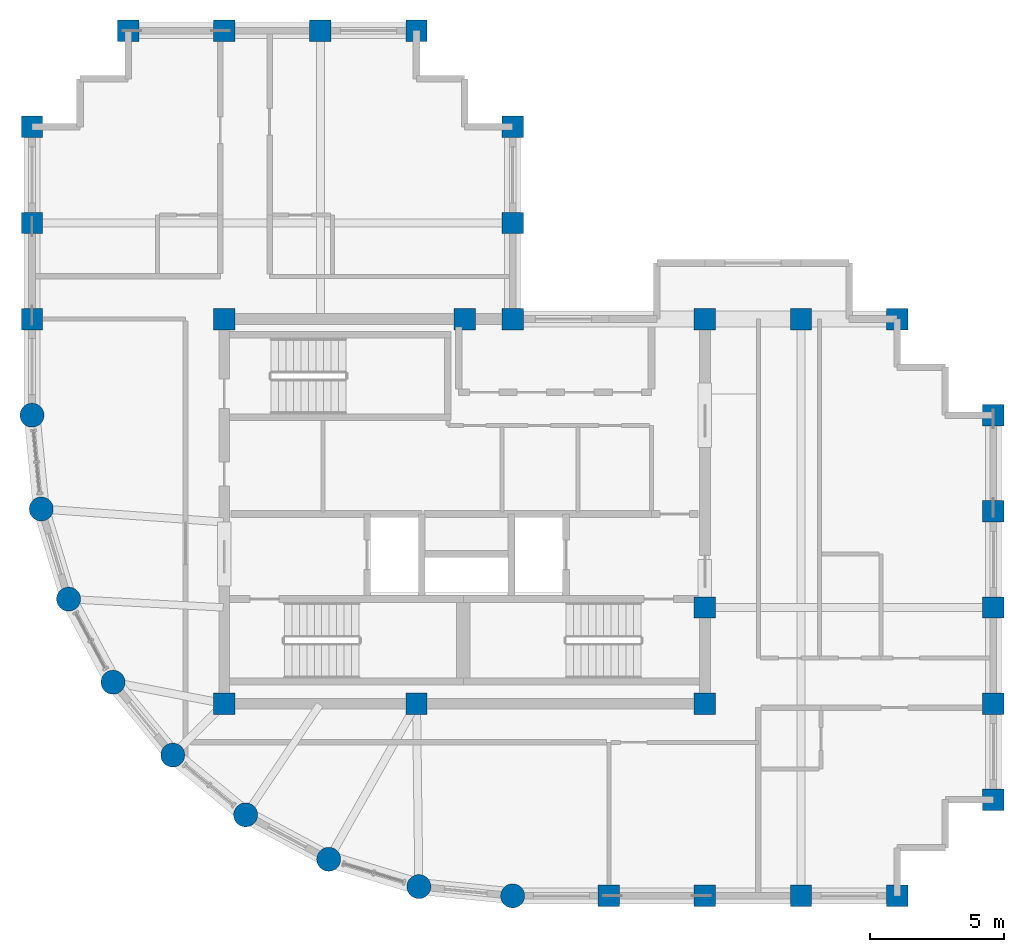
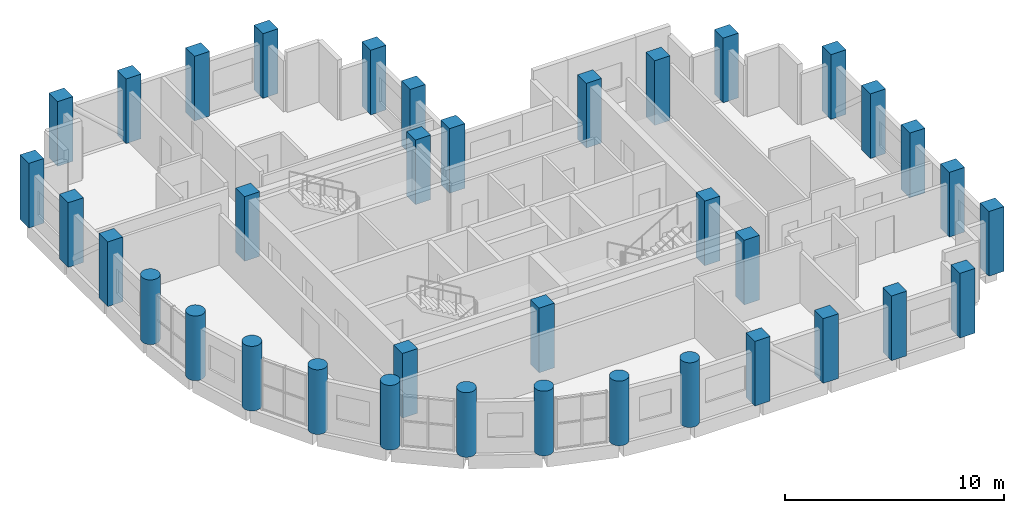
# One storey, part 1 of 11: 37 columns.
"""IFC4 building model written with IfcOpenShell, lengths in metres."""

from ifc_helpers import new_model, si_unit, direction, frame, origin, origin_2d, place, context, subcontext, project, spatial, rectangle, circle, extrude, material, material_profile, profile_set, type_object, element, save


model = new_model("IFC4")

# Units and contexts
model_context = context("Model", 3, precision=1e-05, world=origin(), true_north=direction((0.0, 1.0)))
body_context = subcontext(model_context, "Body", "Model", "MODEL_VIEW")
ifc_project = project(units=[si_unit("LENGTHUNIT", "METRE"), si_unit("AREAUNIT", "SQUARE_METRE"), si_unit("VOLUMEUNIT", "CUBIC_METRE"), si_unit("PLANEANGLEUNIT", "RADIAN"), si_unit("MASSUNIT", "GRAM", prefix="KILO")], contexts=[model_context])

# Site, building, storey
site_placement = place(None, origin())
site = spatial("IfcSite", under=ifc_project, at=site_placement, CompositionType="ELEMENT")
building_placement = place(site_placement, origin())
building = spatial("IfcBuilding", under=site, at=building_placement, Name="Solnavia Interchange Tower", CompositionType="ELEMENT")
storey_placement = place(building_placement, frame((0.0, 0.0, 284.60009765625)))
storey = spatial("IfcBuildingStorey", under=building, at=storey_placement, Name="L72", CompositionType="ELEMENT", Elevation=284.60009765625)

# Columns
ifc_material = material(Name="Concrete C50/60", Category="concrete")
ifc_material_profile_1 = material_profile(ifc_material, rectangle(XDim=0.800048828125, YDim=0.800048828125, at=origin_2d()), Name="RC 800x800")
ifc_profile_set_1 = profile_set([ifc_material_profile_1], Name="Concrete C50/60")
column_type_1 = type_object("IfcColumnType", Name="Col-RC-800x800", PredefinedType="COLUMN", material=ifc_profile_set_1)
for number, where, z_axis, x_axis, name in (
    (1, (7.199951171875, 25.199951171875, 0.0), (0.0, 0.0, 1.0), (0.0, 1.0, 0.0), "COL-L72-02 Tower perim y column"),
    (2, (7.199951171875, 28.800048828125, 0.0), (0.0, 0.0, 1.0), (0.0, 1.0, 0.0), "COL-L72-03 Tower perim y column"),
    (3, (7.199951171875, 32.39990234375, 0.0), (0.0, 0.0, 1.0), (0.0, 1.0, 0.0), "COL-L72-04 Tower corner column"),
    (4, (10.800048828125, 36.0, 0.0), (0.0, 0.0, 1.0), (1.0, 0.0, 0.0), "COL-L72-08 Tower corner column"),
    (5, (14.39990234375, 10.800048828125, 0.0), (0.0, 0.0, 1.0), (1.0, 0.0, 0.0), "COL-L72-10 Tower interior column"),
    (6, (14.39990234375, 25.199951171875, 0.0), (0.0, 0.0, 1.0), (1.0, 0.0, 0.0), "COL-L72-11 Tower interior column"),
    (7, (14.39990234375, 36.0, 0.0), (0.0, 0.0, 1.0), (1.0, 0.0, 0.0), "COL-L72-12 Tower perim x column"),
    (8, (18.0, 36.0, 0.0), (0.0, 0.0, 1.0), (1.0, 0.0, 0.0), "COL-L72-14 Tower perim x column"),
    (9, (21.60009765625, 10.800048828125, 0.0), (0.0, 0.0, 1.0), (1.0, 0.0, 0.0), "COL-L72-16 Tower interior column"),
    (10, (21.60009765625, 36.0, 0.0), (0.0, 0.0, 1.0), (1.0, 0.0, 0.0), "COL-L72-17 Tower corner column"),
    (11, (23.39990234375, 25.199951171875, 0.0), (0.0, 0.0, 1.0), (1.0, 0.0, 0.0), "COL-L72-19 Tower interior column"),
    (12, (25.199951171875, 25.199951171875, 0.0), (0.0, 0.0, 1.0), (1.0, 0.0, 0.0), "COL-L72-21 Tower interior column"),
    (13, (25.199951171875, 28.800048828125, 0.0), (0.0, 0.0, 1.0), (0.0, 1.0, 0.0), "COL-L72-22 Tower perim y column"),
    (14, (25.199951171875, 32.39990234375, 0.0), (0.0, 0.0, 1.0), (0.0, 1.0, 0.0), "COL-L72-23 Tower corner column"),
    (15, (28.800048828125, 3.60009765625, 0.0), (0.0, 0.0, 1.0), (1.0, 0.0, 0.0), "COL-L72-24 Tower perim x column"),
    (16, (32.39990234375, 3.60009765625, 0.0), (0.0, 0.0, 1.0), (1.0, 0.0, 0.0), "COL-L72-25 Tower perim x column"),
    (17, (32.39990234375, 10.800048828125, 0.0), (0.0, 0.0, 1.0), (1.0, 0.0, 0.0), "COL-L72-26 Tower interior column"),
    (18, (32.39990234375, 14.39990234375, 0.0), (0.0, 0.0, 1.0), (1.0, 0.0, 0.0), "COL-L72-27 Tower interior column"),
    (19, (32.39990234375, 25.199951171875, 0.0), (0.0, 0.0, 1.0), (1.0, 0.0, 0.0), "COL-L72-28 Tower interior column"),
    (20, (36.0, 3.60009765625, 0.0), (0.0, 0.0, 1.0), (1.0, 0.0, 0.0), "COL-L72-29 Tower perim x column"),
    (21, (36.0, 25.199951171875, 0.0), (0.0, 0.0, 1.0), (1.0, 0.0, 0.0), "COL-L72-30 Tower perim x column"),
    (22, (39.60009765625, 3.60009765625, 0.0), (0.0, 0.0, 1.0), (1.0, 0.0, 0.0), "COL-L72-31 Tower corner column"),
    (23, (39.60009765625, 25.199951171875, 0.0), (0.0, 0.0, 1.0), (1.0, 0.0, 0.0), "COL-L72-32 Tower corner column"),
    (24, (43.199951171875, 7.199951171875, 0.0), (0.0, 0.0, 1.0), (1.0, 0.0, 0.0), "COL-L72-33 Tower corner column"),
    (25, (43.199951171875, 10.800048828125, 0.0), (0.0, 0.0, 1.0), (0.0, 1.0, 0.0), "COL-L72-34 Tower perim y column"),
    (26, (43.199951171875, 14.39990234375, 0.0), (0.0, 0.0, 1.0), (0.0, 1.0, 0.0), "COL-L72-35 Tower perim y column"),
    (27, (43.199951171875, 18.0, 0.0), (0.0, 0.0, 1.0), (0.0, 1.0, 0.0), "COL-L72-36 Tower perim y column"),
    (28, (43.199951171875, 21.60009765625, 0.0), (0.0, 0.0, 1.0), (0.0, 1.0, 0.0), "COL-L72-37 Tower corner column"),
):
    element("IfcColumn", number, at=place(storey_placement, frame(where, z_axis=z_axis, x_axis=x_axis)), inside=storey, type_object=column_type_1, Name=name, PredefinedType="COLUMN", context=body_context, shape_type="SweptSolid", body=[
        extrude(rectangle(XDim=0.800048828125, YDim=0.800048828125, at=origin_2d()), origin(), (0.0, 0.0, 1.0), 3.599853515625),
    ])
ifc_material_profile_2 = material_profile(ifc_material, circle(Radius=0.449951171875, at=origin_2d()), Name="RC D900")
ifc_profile_set_2 = profile_set([ifc_material_profile_2], Name="Concrete C50/60")
column_type_2 = type_object("IfcColumnType", Name="Col-RC-D900", PredefinedType="COLUMN", material=ifc_profile_set_2)
for number, where, z_axis, x_axis, name in (
    (29, (7.199951171875, 21.60009765625, 0.0), (0.0, 0.0, 1.0), (1.0, 0.0, 0.0), "COL-L72-01 Tower drum column"),
    (30, (7.5458984375, 18.087890625, 0.0), (0.0, 0.0, 1.0), (1.0, 0.0, 0.0), "COL-L72-05 Tower drum column"),
    (31, (8.570068359375, 14.7119140625, 0.0), (0.0, 0.0, 1.0), (1.0, 0.0, 0.0), "COL-L72-06 Tower drum column"),
    (32, (10.23388671875, 11.60009765625, 0.0), (0.0, 0.0, 1.0), (1.0, 0.0, 0.0), "COL-L72-07 Tower drum column"),
    (33, (12.471923828125, 8.8720703125, 0.0), (0.0, 0.0, 1.0), (1.0, 0.0, 0.0), "COL-L72-09 Tower drum column"),
    (34, (15.199951171875, 6.634033203125, 0.0), (0.0, 0.0, 1.0), (1.0, 0.0, 0.0), "COL-L72-13 Tower drum column"),
    (35, (18.31201171875, 4.969970703125, 0.0), (0.0, 0.0, 1.0), (1.0, 0.0, 0.0), "COL-L72-15 Tower drum column"),
    (36, (21.68798828125, 3.946044921875, 0.0), (0.0, 0.0, 1.0), (1.0, 0.0, 0.0), "COL-L72-18 Tower drum column"),
    (37, (25.199951171875, 3.60009765625, 0.0), (0.0, 0.0, 1.0), (1.0, 0.0, 0.0), "COL-L72-20 Tower drum column"),
):
    element("IfcColumn", number, at=place(storey_placement, frame(where, z_axis=z_axis, x_axis=x_axis)), inside=storey, type_object=column_type_2, Name=name, PredefinedType="COLUMN", context=body_context, shape_type="SweptSolid", body=[
        extrude(circle(Radius=0.449951171875, at=origin_2d()), origin(), (0.0, 0.0, 1.0), 3.599853515625),
    ])

save(model, "model.ifc")
